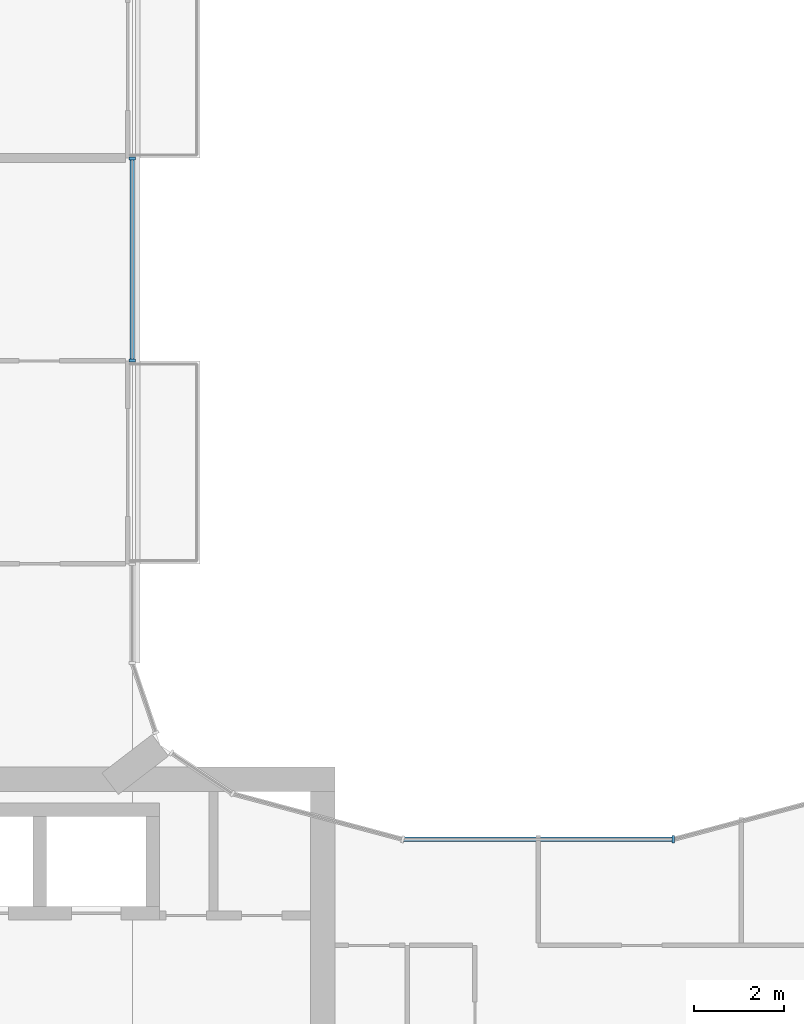
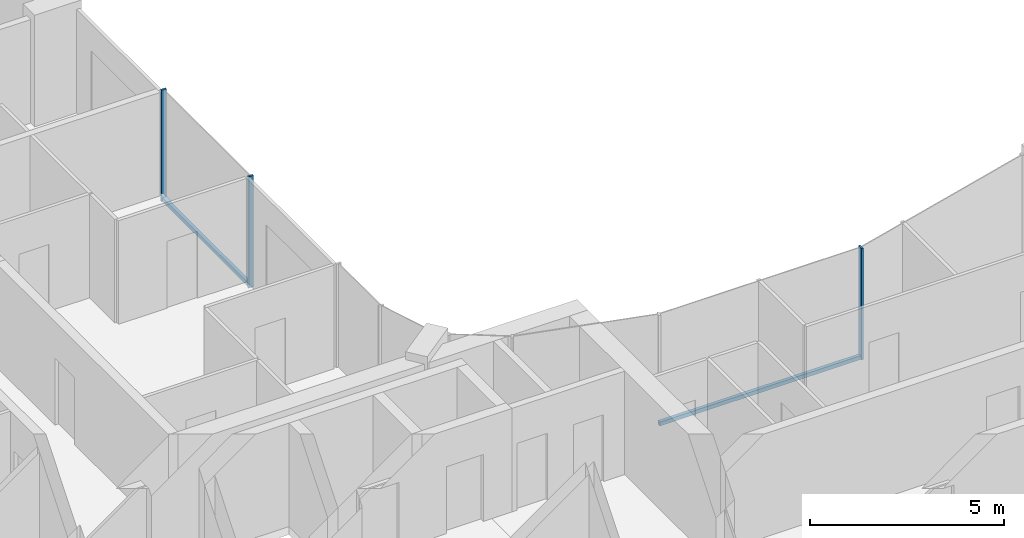
# One storey, part 5 of 15: 5 members, 2 elements without a shape of their own.
"""IFC4 building model written with IfcOpenShell, lengths in metres."""

from ifc_helpers import new_model, si_unit, direction, frame, origin, origin_2d, place, context, subcontext, project, spatial, rectangle, extrude, material, layer, layer_set, material_profile, profile_set, type_object, element, aggregate, save


model = new_model("IFC4")

# Units and contexts
model_context = context("Model", 3, precision=1e-05, world=origin(), true_north=direction((0.0, 1.0)))
body_context = subcontext(model_context, "Body", "Model", "MODEL_VIEW")
ifc_project = project(units=[si_unit("LENGTHUNIT", "METRE"), si_unit("AREAUNIT", "SQUARE_METRE"), si_unit("VOLUMEUNIT", "CUBIC_METRE"), si_unit("PLANEANGLEUNIT", "RADIAN"), si_unit("MASSUNIT", "GRAM", prefix="KILO")], contexts=[model_context])

# Site, building, storey
site_placement = place(None, origin())
site = spatial("IfcSite", under=ifc_project, at=site_placement, CompositionType="ELEMENT")
building_placement = place(site_placement, origin())
building = spatial("IfcBuilding", under=site, at=building_placement, Name="Plateau Cross Towers", CompositionType="ELEMENT")
storey_placement = place(building_placement, frame((0.0, 0.0, 208.39990234375)))
storey = spatial("IfcBuildingStorey", under=building, at=storey_placement, Name="L54", CompositionType="ELEMENT", Elevation=208.39990234375)

# Curtain wall, members
ifc_material_1 = material(Name="Dark low-iron glass", Category="glass")
ifc_layer_1 = layer(ifc_material_1, 0.239990234375)
ifc_layer_set_1 = layer_set([ifc_layer_1], Name="Dark low-iron glass")
curtain_wall_type_1 = type_object("IfcCurtainWallType", Name="Curtain wall flush unitised CW-B", PredefinedType="NOTDEFINED", material=ifc_layer_set_1)
curtain_wall_1_placement = place(storey_placement, origin())
curtain_wall_1 = element("IfcCurtainWall", 1, at=curtain_wall_1_placement, inside=storey, type_object=curtain_wall_type_1, Name="ENV/A/L54/A180_270", PredefinedType="NOTDEFINED")
ifc_material_2 = material(Name="Black anodised aluminium", Category="aluminium")
ifc_material_profile_1 = material_profile(ifc_material_2, rectangle(XDim=0.06005859375, YDim=0.139892578125, at=origin_2d()), Name="MULLION 60x140")
ifc_profile_set_1 = profile_set([ifc_material_profile_1], Name="Black anodised aluminium")
member_type_1 = type_object("IfcMemberType", Name="Mullion 60x140 flush unitised", PredefinedType="MULLION", material=ifc_profile_set_1)
member_1_placement = place(storey_placement, frame((18.0, 27.010009765625, -0.25), z_axis=(0.0, 0.0, 1.0), x_axis=(0.0, 1.0, 0.0)))
member_1 = element("IfcMember", 2, at=member_1_placement, type_object=member_type_1, Name="CW-B mullion 1", PredefinedType="MULLION", context=body_context, shape_type="SweptSolid", body=[
    extrude(rectangle(XDim=0.06005859375, YDim=0.139892578125, at=origin_2d()), origin(), (0.0, 0.0, 1.0), 3.5),
])
member_2_placement = place(storey_placement, frame((18.0, 31.489990234375, -0.25), z_axis=(0.0, 0.0, 1.0), x_axis=(0.0, 1.0, 0.0)))
member_2 = element("IfcMember", 3, at=member_2_placement, type_object=member_type_1, Name="CW-B mullion 2", PredefinedType="MULLION", context=body_context, shape_type="SweptSolid", body=[
    extrude(rectangle(XDim=0.06005859375, YDim=0.139892578125, at=origin_2d()), origin(), (0.0, 0.0, 1.0), 3.5),
])

# Curtain wall, member
ifc_layer_2 = layer(ifc_material_1, 0.260009765625)
ifc_layer_set_2 = layer_set([ifc_layer_2], Name="Dark low-iron glass")
curtain_wall_type_2 = type_object("IfcCurtainWallType", Name="Curtain wall fluted unitised CW-A", PredefinedType="NOTDEFINED", material=ifc_layer_set_2)
curtain_wall_2_placement = place(storey_placement, origin())
curtain_wall_2 = element("IfcCurtainWall", 4, at=curtain_wall_2_placement, inside=storey, type_object=curtain_wall_type_2, Name="ENV/A/L54/A300_164", PredefinedType="NOTDEFINED")
ifc_material_profile_2 = material_profile(ifc_material_2, rectangle(XDim=0.06005859375, YDim=0.159912109375, at=origin_2d()), Name="MULLION 60x160")
ifc_profile_set_2 = profile_set([ifc_material_profile_2], Name="Black anodised aluminium")
member_type_2 = type_object("IfcMemberType", Name="Mullion 60x160 fluted unitised", PredefinedType="MULLION", material=ifc_profile_set_2)
member_3_placement = place(storey_placement, frame((30.0, 16.39306640625, -0.25), z_axis=(0.0, 0.0, 1.0), x_axis=(-1.0, 0.0, 0.0)))
member_3 = element("IfcMember", 5, at=member_3_placement, type_object=member_type_2, Name="CW-A mullion 1", PredefinedType="MULLION", context=body_context, shape_type="SweptSolid", body=[
    extrude(rectangle(XDim=0.06005859375, YDim=0.159912109375, at=origin_2d()), origin(), (0.0, 0.0, 1.0), 3.5),
])

# Member
ifc_material_profile_3 = material_profile(ifc_material_2, rectangle(XDim=0.10009765625, YDim=0.1201171875, at=origin_2d()), Name="TRANSOM 100x120")
ifc_profile_set_3 = profile_set([ifc_material_profile_3], Name="Black anodised aluminium")
member_type_3 = type_object("IfcMemberType", Name="Transom 100x120 flush unitised", PredefinedType="USERDEFINED", material=ifc_profile_set_3)
member_4_placement = place(storey_placement, frame((18.0, 27.010009765625, -0.18994140625), z_axis=(0.0, 1.0, 0.0), x_axis=(-1.0, 0.0, 0.0)))
member_4 = element("IfcMember", 6, at=member_4_placement, type_object=member_type_3, Name="CW-B transom", ObjectType="TRANSOM", PredefinedType="USERDEFINED", context=body_context, shape_type="SweptSolid", body=[
    extrude(rectangle(XDim=0.10009765625, YDim=0.1201171875, at=origin_2d()), origin(), (0.0, 0.0, 1.0), 4.47998046875),
])

aggregate(curtain_wall_1, [member_1, member_2, member_4])

ifc_material_profile_4 = material_profile(ifc_material_2, rectangle(XDim=0.10009765625, YDim=0.1201171875, at=origin_2d()), Name="TRANSOM 100x120")
ifc_profile_set_4 = profile_set([ifc_material_profile_4], Name="Black anodised aluminium")
member_type_4 = type_object("IfcMemberType", Name="Transom 100x120 fluted unitised", PredefinedType="USERDEFINED", material=ifc_profile_set_4)
member_5_placement = place(storey_placement, frame((30.0, 16.39306640625, -0.18994140625), z_axis=(-1.0, 0.0, 0.0), x_axis=(0.0, -1.0, 0.0)))
member_5 = element("IfcMember", 7, at=member_5_placement, type_object=member_type_4, Name="CW-A transom", ObjectType="TRANSOM", PredefinedType="USERDEFINED", context=body_context, shape_type="SweptSolid", body=[
    extrude(rectangle(XDim=0.10009765625, YDim=0.1201171875, at=origin_2d()), origin(), (0.0, 0.0, 1.0), 6.0),
])

aggregate(curtain_wall_2, [member_3, member_5])

save(model, "model.ifc")
